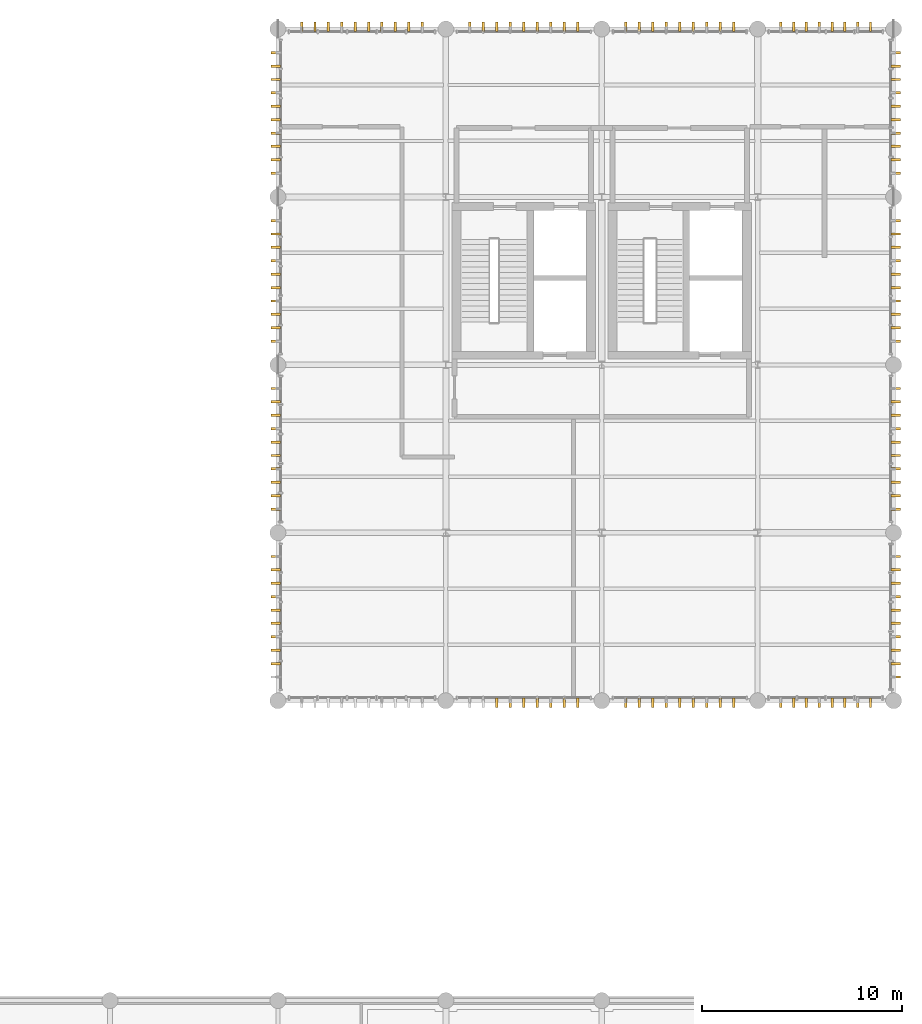
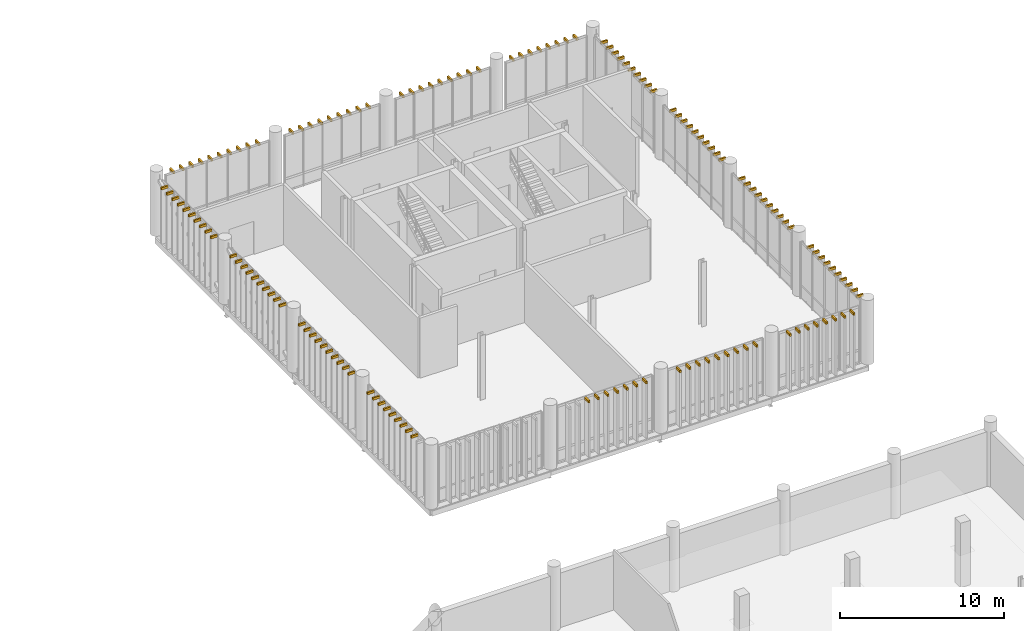
# One storey, part 94 of 94: 139 shading devices.
"""IFC4 building model written with IfcOpenShell, lengths in metres."""

from ifc_helpers import new_model, si_unit, direction, frame, origin_with_axes, origin_2d_with_axis, place, context, subcontext, project, spatial, rectangle, extrude, material, type_object, element, save


model = new_model("IFC4")

# Units and contexts
model_context = context("Model", 3, precision=1e-05, world=origin_with_axes(), true_north=direction((0.0, 1.0)))
body_context = subcontext(model_context, "Body", "Model", "MODEL_VIEW")
ifc_project = project(units=[si_unit("LENGTHUNIT", "METRE"), si_unit("AREAUNIT", "SQUARE_METRE"), si_unit("VOLUMEUNIT", "CUBIC_METRE"), si_unit("PLANEANGLEUNIT", "RADIAN"), si_unit("MASSUNIT", "GRAM", prefix="KILO"), si_unit("THERMODYNAMICTEMPERATUREUNIT", "KELVIN")], contexts=[model_context])

# Site, building, storey
site_placement = place(None, origin_with_axes())
site = spatial("IfcSite", under=ifc_project, at=site_placement, CompositionType="ELEMENT")
building_placement = place(site_placement, origin_with_axes())
building = spatial("IfcBuilding", under=site, at=building_placement, Name="Montbau Bow Law Courts", CompositionType="ELEMENT")
storey_placement = place(building_placement, frame((0.0, 0.0, 15.6), z_axis=(0.0, 0.0, 1.0), x_axis=(1.0, 0.0, 0.0)))
storey = spatial("IfcBuildingStorey", under=building, at=storey_placement, Name="L03", CompositionType="ELEMENT", Elevation=15.6)

# Shading devices
ifc_material = material(Name="Freeze-Thaw Glazed Slate-Grey Ceramic Vertical Louvre", Category="masonry")
shading_device_type = type_object("IfcShadingDeviceType", Name="SH-LVR-SLT", PredefinedType="USERDEFINED", material=ifc_material)
for number, where, z_axis, x_axis, name in (
    (1, (149.546, 69.49, 19.64), (0.0, 0.0, 1.0), (0.0, -1.0, 0.0), "LVR-L03-2762:shd_2762"),
    (2, (150.223, 69.49, 19.64), (0.0, 0.0, 1.0), (0.0, -1.0, 0.0), "LVR-L03-2763:shd_2763"),
    (3, (150.9, 69.49, 19.64), (0.0, 0.0, 1.0), (0.0, -1.0, 0.0), "LVR-L03-2764:shd_2764"),
    (4, (151.577, 69.49, 19.64), (0.0, 0.0, 1.0), (0.0, -1.0, 0.0), "LVR-L03-2765:shd_2765"),
    (5, (152.254, 69.49, 19.64), (0.0, 0.0, 1.0), (0.0, -1.0, 0.0), "LVR-L03-2766:shd_2766"),
    (6, (152.931, 69.49, 19.64), (0.0, 0.0, 1.0), (0.0, -1.0, 0.0), "LVR-L03-2767:shd_2767"),
    (7, (153.608, 69.49, 19.64), (0.0, 0.0, 1.0), (0.0, -1.0, 0.0), "LVR-L03-2768:shd_2768"),
    (8, (155.992, 69.49, 19.64), (0.0, 0.0, 1.0), (0.0, -1.0, 0.0), "LVR-L03-2769:shd_2769"),
    (9, (156.669, 69.49, 19.64), (0.0, 0.0, 1.0), (0.0, -1.0, 0.0), "LVR-L03-2770:shd_2770"),
    (10, (157.346, 69.49, 19.64), (0.0, 0.0, 1.0), (0.0, -1.0, 0.0), "LVR-L03-2771:shd_2771"),
    (11, (158.023, 69.49, 19.64), (0.0, 0.0, 1.0), (0.0, -1.0, 0.0), "LVR-L03-2772:shd_2772"),
    (12, (158.7, 69.49, 19.64), (0.0, 0.0, 1.0), (0.0, -1.0, 0.0), "LVR-L03-2773:shd_2773"),
    (13, (159.377, 69.49, 19.64), (0.0, 0.0, 1.0), (0.0, -1.0, 0.0), "LVR-L03-2774:shd_2774"),
    (14, (160.054, 69.49, 19.64), (0.0, 0.0, 1.0), (0.0, -1.0, 0.0), "LVR-L03-2775:shd_2775"),
    (15, (160.731, 69.49, 19.64), (0.0, 0.0, 1.0), (0.0, -1.0, 0.0), "LVR-L03-2776:shd_2776"),
    (16, (161.408, 69.49, 19.64), (0.0, 0.0, 1.0), (0.0, -1.0, 0.0), "LVR-L03-2777:shd_2777"),
    (17, (163.756, 69.49, 19.64), (0.0, 0.0, 1.0), (0.0, -1.0, 0.0), "LVR-L03-2778:shd_2778"),
    (18, (164.397, 69.49, 19.64), (0.0, 0.0, 1.0), (0.0, -1.0, 0.0), "LVR-L03-2779:shd_2779"),
    (19, (165.038, 69.49, 19.64), (0.0, 0.0, 1.0), (0.0, -1.0, 0.0), "LVR-L03-2780:shd_2780"),
    (20, (165.679, 69.49, 19.64), (0.0, 0.0, 1.0), (0.0, -1.0, 0.0), "LVR-L03-2781:shd_2781"),
    (21, (166.321, 69.49, 19.64), (0.0, 0.0, 1.0), (0.0, -1.0, 0.0), "LVR-L03-2782:shd_2782"),
    (22, (166.962, 69.49, 19.64), (0.0, 0.0, 1.0), (0.0, -1.0, 0.0), "LVR-L03-2783:shd_2783"),
    (23, (167.603, 69.49, 19.64), (0.0, 0.0, 1.0), (0.0, -1.0, 0.0), "LVR-L03-2784:shd_2784"),
    (24, (168.244, 69.49, 19.64), (0.0, 0.0, 1.0), (0.0, -1.0, 0.0), "LVR-L03-2785:shd_2785"),
    (25, (139.785, 103.31, 19.64), (0.0, 0.0, 1.0), (0.0, 1.0, 0.0), "LVR-L03-2786:shd_2786"),
    (26, (140.455, 103.31, 19.64), (0.0, 0.0, 1.0), (0.0, 1.0, 0.0), "LVR-L03-2787:shd_2787"),
    (27, (141.125, 103.31, 19.64), (0.0, 0.0, 1.0), (0.0, 1.0, 0.0), "LVR-L03-2788:shd_2788"),
    (28, (141.795, 103.31, 19.64), (0.0, 0.0, 1.0), (0.0, 1.0, 0.0), "LVR-L03-2789:shd_2789"),
    (29, (142.465, 103.31, 19.64), (0.0, 0.0, 1.0), (0.0, 1.0, 0.0), "LVR-L03-2790:shd_2790"),
    (30, (143.135, 103.31, 19.64), (0.0, 0.0, 1.0), (0.0, 1.0, 0.0), "LVR-L03-2791:shd_2791"),
    (31, (143.805, 103.31, 19.64), (0.0, 0.0, 1.0), (0.0, 1.0, 0.0), "LVR-L03-2792:shd_2792"),
    (32, (144.475, 103.31, 19.64), (0.0, 0.0, 1.0), (0.0, 1.0, 0.0), "LVR-L03-2793:shd_2793"),
    (33, (145.145, 103.31, 19.64), (0.0, 0.0, 1.0), (0.0, 1.0, 0.0), "LVR-L03-2794:shd_2794"),
    (34, (145.815, 103.31, 19.64), (0.0, 0.0, 1.0), (0.0, 1.0, 0.0), "LVR-L03-2795:shd_2795"),
    (35, (148.192, 103.31, 19.64), (0.0, 0.0, 1.0), (0.0, 1.0, 0.0), "LVR-L03-2796:shd_2796"),
    (36, (148.869, 103.31, 19.64), (0.0, 0.0, 1.0), (0.0, 1.0, 0.0), "LVR-L03-2797:shd_2797"),
    (37, (149.546, 103.31, 19.64), (0.0, 0.0, 1.0), (0.0, 1.0, 0.0), "LVR-L03-2798:shd_2798"),
    (38, (150.223, 103.31, 19.64), (0.0, 0.0, 1.0), (0.0, 1.0, 0.0), "LVR-L03-2799:shd_2799"),
    (39, (150.9, 103.31, 19.64), (0.0, 0.0, 1.0), (0.0, 1.0, 0.0), "LVR-L03-2800:shd_2800"),
    (40, (151.577, 103.31, 19.64), (0.0, 0.0, 1.0), (0.0, 1.0, 0.0), "LVR-L03-2801:shd_2801"),
    (41, (152.254, 103.31, 19.64), (0.0, 0.0, 1.0), (0.0, 1.0, 0.0), "LVR-L03-2802:shd_2802"),
    (42, (152.931, 103.31, 19.64), (0.0, 0.0, 1.0), (0.0, 1.0, 0.0), "LVR-L03-2803:shd_2803"),
    (43, (153.608, 103.31, 19.64), (0.0, 0.0, 1.0), (0.0, 1.0, 0.0), "LVR-L03-2804:shd_2804"),
    (44, (155.992, 103.31, 19.64), (0.0, 0.0, 1.0), (0.0, 1.0, 0.0), "LVR-L03-2805:shd_2805"),
    (45, (156.669, 103.31, 19.64), (0.0, 0.0, 1.0), (0.0, 1.0, 0.0), "LVR-L03-2806:shd_2806"),
    (46, (157.346, 103.31, 19.64), (0.0, 0.0, 1.0), (0.0, 1.0, 0.0), "LVR-L03-2807:shd_2807"),
    (47, (158.023, 103.31, 19.64), (0.0, 0.0, 1.0), (0.0, 1.0, 0.0), "LVR-L03-2808:shd_2808"),
    (48, (158.7, 103.31, 19.64), (0.0, 0.0, 1.0), (0.0, 1.0, 0.0), "LVR-L03-2809:shd_2809"),
    (49, (159.377, 103.31, 19.64), (0.0, 0.0, 1.0), (0.0, 1.0, 0.0), "LVR-L03-2810:shd_2810"),
    (50, (160.054, 103.31, 19.64), (0.0, 0.0, 1.0), (0.0, 1.0, 0.0), "LVR-L03-2811:shd_2811"),
    (51, (160.731, 103.31, 19.64), (0.0, 0.0, 1.0), (0.0, 1.0, 0.0), "LVR-L03-2812:shd_2812"),
    (52, (161.408, 103.31, 19.64), (0.0, 0.0, 1.0), (0.0, 1.0, 0.0), "LVR-L03-2813:shd_2813"),
    (53, (163.756, 103.31, 19.64), (0.0, 0.0, 1.0), (0.0, 1.0, 0.0), "LVR-L03-2814:shd_2814"),
    (54, (164.397, 103.31, 19.64), (0.0, 0.0, 1.0), (0.0, 1.0, 0.0), "LVR-L03-2815:shd_2815"),
    (55, (165.038, 103.31, 19.64), (0.0, 0.0, 1.0), (0.0, 1.0, 0.0), "LVR-L03-2816:shd_2816"),
    (56, (165.679, 103.31, 19.64), (0.0, 0.0, 1.0), (0.0, 1.0, 0.0), "LVR-L03-2817:shd_2817"),
    (57, (166.321, 103.31, 19.64), (0.0, 0.0, 1.0), (0.0, 1.0, 0.0), "LVR-L03-2818:shd_2818"),
    (58, (166.962, 103.31, 19.64), (0.0, 0.0, 1.0), (0.0, 1.0, 0.0), "LVR-L03-2819:shd_2819"),
    (59, (167.603, 103.31, 19.64), (0.0, 0.0, 1.0), (0.0, 1.0, 0.0), "LVR-L03-2820:shd_2820"),
    (60, (168.244, 103.31, 19.64), (0.0, 0.0, 1.0), (0.0, 1.0, 0.0), "LVR-L03-2821:shd_2821"),
    (61, (138.49, 71.455, 19.64), (0.0, 0.0, 1.0), (-1.0, 0.0, 0.0), "LVR-L03-2823:shd_2823"),
    (62, (138.49, 72.125, 19.64), (0.0, 0.0, 1.0), (-1.0, 0.0, 0.0), "LVR-L03-2824:shd_2824"),
    (63, (138.49, 72.795, 19.64), (0.0, 0.0, 1.0), (-1.0, 0.0, 0.0), "LVR-L03-2825:shd_2825"),
    (64, (138.49, 73.465, 19.64), (0.0, 0.0, 1.0), (-1.0, 0.0, 0.0), "LVR-L03-2826:shd_2826"),
    (65, (138.49, 74.135, 19.64), (0.0, 0.0, 1.0), (-1.0, 0.0, 0.0), "LVR-L03-2827:shd_2827"),
    (66, (138.49, 74.805, 19.64), (0.0, 0.0, 1.0), (-1.0, 0.0, 0.0), "LVR-L03-2828:shd_2828"),
    (67, (138.49, 75.475, 19.64), (0.0, 0.0, 1.0), (-1.0, 0.0, 0.0), "LVR-L03-2829:shd_2829"),
    (68, (138.49, 76.145, 19.64), (0.0, 0.0, 1.0), (-1.0, 0.0, 0.0), "LVR-L03-2830:shd_2830"),
    (69, (138.49, 76.815, 19.64), (0.0, 0.0, 1.0), (-1.0, 0.0, 0.0), "LVR-L03-2831:shd_2831"),
    (70, (138.49, 79.185, 19.64), (0.0, 0.0, 1.0), (-1.0, 0.0, 0.0), "LVR-L03-2832:shd_2832"),
    (71, (138.49, 79.855, 19.64), (0.0, 0.0, 1.0), (-1.0, 0.0, 0.0), "LVR-L03-2833:shd_2833"),
    (72, (138.49, 80.525, 19.64), (0.0, 0.0, 1.0), (-1.0, 0.0, 0.0), "LVR-L03-2834:shd_2834"),
    (73, (138.49, 81.195, 19.64), (0.0, 0.0, 1.0), (-1.0, 0.0, 0.0), "LVR-L03-2835:shd_2835"),
    (74, (138.49, 81.865, 19.64), (0.0, 0.0, 1.0), (-1.0, 0.0, 0.0), "LVR-L03-2836:shd_2836"),
    (75, (138.49, 82.535, 19.64), (0.0, 0.0, 1.0), (-1.0, 0.0, 0.0), "LVR-L03-2837:shd_2837"),
    (76, (138.49, 83.205, 19.64), (0.0, 0.0, 1.0), (-1.0, 0.0, 0.0), "LVR-L03-2838:shd_2838"),
    (77, (138.49, 83.875, 19.64), (0.0, 0.0, 1.0), (-1.0, 0.0, 0.0), "LVR-L03-2839:shd_2839"),
    (78, (138.49, 84.545, 19.64), (0.0, 0.0, 1.0), (-1.0, 0.0, 0.0), "LVR-L03-2840:shd_2840"),
    (79, (138.49, 85.215, 19.64), (0.0, 0.0, 1.0), (-1.0, 0.0, 0.0), "LVR-L03-2841:shd_2841"),
    (80, (138.49, 87.585, 19.64), (0.0, 0.0, 1.0), (-1.0, 0.0, 0.0), "LVR-L03-2842:shd_2842"),
    (81, (138.49, 88.255, 19.64), (0.0, 0.0, 1.0), (-1.0, 0.0, 0.0), "LVR-L03-2843:shd_2843"),
    (82, (138.49, 88.925, 19.64), (0.0, 0.0, 1.0), (-1.0, 0.0, 0.0), "LVR-L03-2844:shd_2844"),
    (83, (138.49, 89.595, 19.64), (0.0, 0.0, 1.0), (-1.0, 0.0, 0.0), "LVR-L03-2845:shd_2845"),
    (84, (138.49, 90.265, 19.64), (0.0, 0.0, 1.0), (-1.0, 0.0, 0.0), "LVR-L03-2846:shd_2846"),
    (85, (138.49, 90.935, 19.64), (0.0, 0.0, 1.0), (-1.0, 0.0, 0.0), "LVR-L03-2847:shd_2847"),
    (86, (138.49, 91.605, 19.64), (0.0, 0.0, 1.0), (-1.0, 0.0, 0.0), "LVR-L03-2848:shd_2848"),
    (87, (138.49, 92.275, 19.64), (0.0, 0.0, 1.0), (-1.0, 0.0, 0.0), "LVR-L03-2849:shd_2849"),
    (88, (138.49, 92.945, 19.64), (0.0, 0.0, 1.0), (-1.0, 0.0, 0.0), "LVR-L03-2850:shd_2850"),
    (89, (138.49, 93.615, 19.64), (0.0, 0.0, 1.0), (-1.0, 0.0, 0.0), "LVR-L03-2851:shd_2851"),
    (90, (138.49, 95.985, 19.64), (0.0, 0.0, 1.0), (-1.0, 0.0, 0.0), "LVR-L03-2852:shd_2852"),
    (91, (138.49, 96.655, 19.64), (0.0, 0.0, 1.0), (-1.0, 0.0, 0.0), "LVR-L03-2853:shd_2853"),
    (92, (138.49, 97.325, 19.64), (0.0, 0.0, 1.0), (-1.0, 0.0, 0.0), "LVR-L03-2854:shd_2854"),
    (93, (138.49, 97.995, 19.64), (0.0, 0.0, 1.0), (-1.0, 0.0, 0.0), "LVR-L03-2855:shd_2855"),
    (94, (138.49, 98.665, 19.64), (0.0, 0.0, 1.0), (-1.0, 0.0, 0.0), "LVR-L03-2856:shd_2856"),
    (95, (138.49, 99.335, 19.64), (0.0, 0.0, 1.0), (-1.0, 0.0, 0.0), "LVR-L03-2857:shd_2857"),
    (96, (138.49, 100.005, 19.64), (0.0, 0.0, 1.0), (-1.0, 0.0, 0.0), "LVR-L03-2858:shd_2858"),
    (97, (138.49, 100.675, 19.64), (0.0, 0.0, 1.0), (-1.0, 0.0, 0.0), "LVR-L03-2859:shd_2859"),
    (98, (138.49, 101.345, 19.64), (0.0, 0.0, 1.0), (-1.0, 0.0, 0.0), "LVR-L03-2860:shd_2860"),
    (99, (138.49, 102.015, 19.64), (0.0, 0.0, 1.0), (-1.0, 0.0, 0.0), "LVR-L03-2861:shd_2861"),
    (100, (169.51, 70.785, 19.64), (0.0, 0.0, 1.0), (1.0, 0.0, 0.0), "LVR-L03-2862:shd_2862"),
    (101, (169.51, 71.455, 19.64), (0.0, 0.0, 1.0), (1.0, 0.0, 0.0), "LVR-L03-2863:shd_2863"),
    (102, (169.51, 72.125, 19.64), (0.0, 0.0, 1.0), (1.0, 0.0, 0.0), "LVR-L03-2864:shd_2864"),
    (103, (169.51, 72.795, 19.64), (0.0, 0.0, 1.0), (1.0, 0.0, 0.0), "LVR-L03-2865:shd_2865"),
    (104, (169.51, 73.465, 19.64), (0.0, 0.0, 1.0), (1.0, 0.0, 0.0), "LVR-L03-2866:shd_2866"),
    (105, (169.51, 74.135, 19.64), (0.0, 0.0, 1.0), (1.0, 0.0, 0.0), "LVR-L03-2867:shd_2867"),
    (106, (169.51, 74.805, 19.64), (0.0, 0.0, 1.0), (1.0, 0.0, 0.0), "LVR-L03-2868:shd_2868"),
    (107, (169.51, 75.475, 19.64), (0.0, 0.0, 1.0), (1.0, 0.0, 0.0), "LVR-L03-2869:shd_2869"),
    (108, (169.51, 76.145, 19.64), (0.0, 0.0, 1.0), (1.0, 0.0, 0.0), "LVR-L03-2870:shd_2870"),
    (109, (169.51, 76.815, 19.64), (0.0, 0.0, 1.0), (1.0, 0.0, 0.0), "LVR-L03-2871:shd_2871"),
    (110, (169.51, 79.185, 19.64), (0.0, 0.0, 1.0), (1.0, 0.0, 0.0), "LVR-L03-2872:shd_2872"),
    (111, (169.51, 79.855, 19.64), (0.0, 0.0, 1.0), (1.0, 0.0, 0.0), "LVR-L03-2873:shd_2873"),
    (112, (169.51, 80.525, 19.64), (0.0, 0.0, 1.0), (1.0, 0.0, 0.0), "LVR-L03-2874:shd_2874"),
    (113, (169.51, 81.195, 19.64), (0.0, 0.0, 1.0), (1.0, 0.0, 0.0), "LVR-L03-2875:shd_2875"),
    (114, (169.51, 81.865, 19.64), (0.0, 0.0, 1.0), (1.0, 0.0, 0.0), "LVR-L03-2876:shd_2876"),
    (115, (169.51, 82.535, 19.64), (0.0, 0.0, 1.0), (1.0, 0.0, 0.0), "LVR-L03-2877:shd_2877"),
    (116, (169.51, 83.205, 19.64), (0.0, 0.0, 1.0), (1.0, 0.0, 0.0), "LVR-L03-2878:shd_2878"),
    (117, (169.51, 83.875, 19.64), (0.0, 0.0, 1.0), (1.0, 0.0, 0.0), "LVR-L03-2879:shd_2879"),
    (118, (169.51, 84.545, 19.64), (0.0, 0.0, 1.0), (1.0, 0.0, 0.0), "LVR-L03-2880:shd_2880"),
    (119, (169.51, 85.215, 19.64), (0.0, 0.0, 1.0), (1.0, 0.0, 0.0), "LVR-L03-2881:shd_2881"),
    (120, (169.51, 87.585, 19.64), (0.0, 0.0, 1.0), (1.0, 0.0, 0.0), "LVR-L03-2882:shd_2882"),
    (121, (169.51, 88.255, 19.64), (0.0, 0.0, 1.0), (1.0, 0.0, 0.0), "LVR-L03-2883:shd_2883"),
    (122, (169.51, 88.925, 19.64), (0.0, 0.0, 1.0), (1.0, 0.0, 0.0), "LVR-L03-2884:shd_2884"),
    (123, (169.51, 89.595, 19.64), (0.0, 0.0, 1.0), (1.0, 0.0, 0.0), "LVR-L03-2885:shd_2885"),
    (124, (169.51, 90.265, 19.64), (0.0, 0.0, 1.0), (1.0, 0.0, 0.0), "LVR-L03-2886:shd_2886"),
    (125, (169.51, 90.935, 19.64), (0.0, 0.0, 1.0), (1.0, 0.0, 0.0), "LVR-L03-2887:shd_2887"),
    (126, (169.51, 91.605, 19.64), (0.0, 0.0, 1.0), (1.0, 0.0, 0.0), "LVR-L03-2888:shd_2888"),
    (127, (169.51, 92.275, 19.64), (0.0, 0.0, 1.0), (1.0, 0.0, 0.0), "LVR-L03-2889:shd_2889"),
    (128, (169.51, 92.945, 19.64), (0.0, 0.0, 1.0), (1.0, 0.0, 0.0), "LVR-L03-2890:shd_2890"),
    (129, (169.51, 93.615, 19.64), (0.0, 0.0, 1.0), (1.0, 0.0, 0.0), "LVR-L03-2891:shd_2891"),
    (130, (169.51, 95.985, 19.64), (0.0, 0.0, 1.0), (1.0, 0.0, 0.0), "LVR-L03-2892:shd_2892"),
    (131, (169.51, 96.655, 19.64), (0.0, 0.0, 1.0), (1.0, 0.0, 0.0), "LVR-L03-2893:shd_2893"),
    (132, (169.51, 97.325, 19.64), (0.0, 0.0, 1.0), (1.0, 0.0, 0.0), "LVR-L03-2894:shd_2894"),
    (133, (169.51, 97.995, 19.64), (0.0, 0.0, 1.0), (1.0, 0.0, 0.0), "LVR-L03-2895:shd_2895"),
    (134, (169.51, 98.665, 19.64), (0.0, 0.0, 1.0), (1.0, 0.0, 0.0), "LVR-L03-2896:shd_2896"),
    (135, (169.51, 99.335, 19.64), (0.0, 0.0, 1.0), (1.0, 0.0, 0.0), "LVR-L03-2897:shd_2897"),
    (136, (169.51, 100.005, 19.64), (0.0, 0.0, 1.0), (1.0, 0.0, 0.0), "LVR-L03-2898:shd_2898"),
    (137, (169.51, 100.675, 19.64), (0.0, 0.0, 1.0), (1.0, 0.0, 0.0), "LVR-L03-2899:shd_2899"),
    (138, (169.51, 101.345, 19.64), (0.0, 0.0, 1.0), (1.0, 0.0, 0.0), "LVR-L03-2900:shd_2900"),
    (139, (169.51, 102.015, 19.64), (0.0, 0.0, 1.0), (1.0, 0.0, 0.0), "LVR-L03-2901:shd_2901"),
):
    element("IfcShadingDevice", number, at=place(None, frame(where, z_axis=z_axis, x_axis=x_axis)), inside=storey, type_object=shading_device_type, Name=name, ObjectType="LOUVRE", PredefinedType="USERDEFINED", context=body_context, shape_type="SweptSolid", body=[
        extrude(rectangle(XDim=0.48, YDim=0.12, at=origin_2d_with_axis()), origin_with_axes(), (0.0, 0.0, 1.0), 0.18),
    ])

save(model, "model.ifc")
